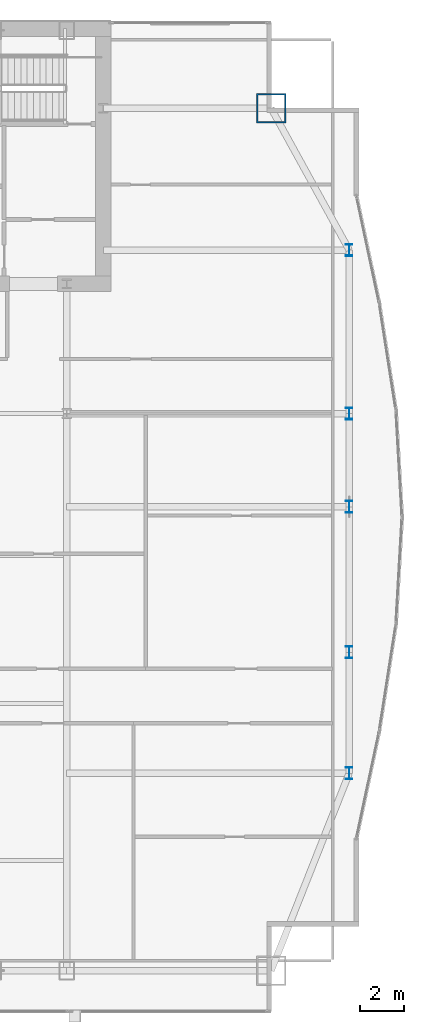
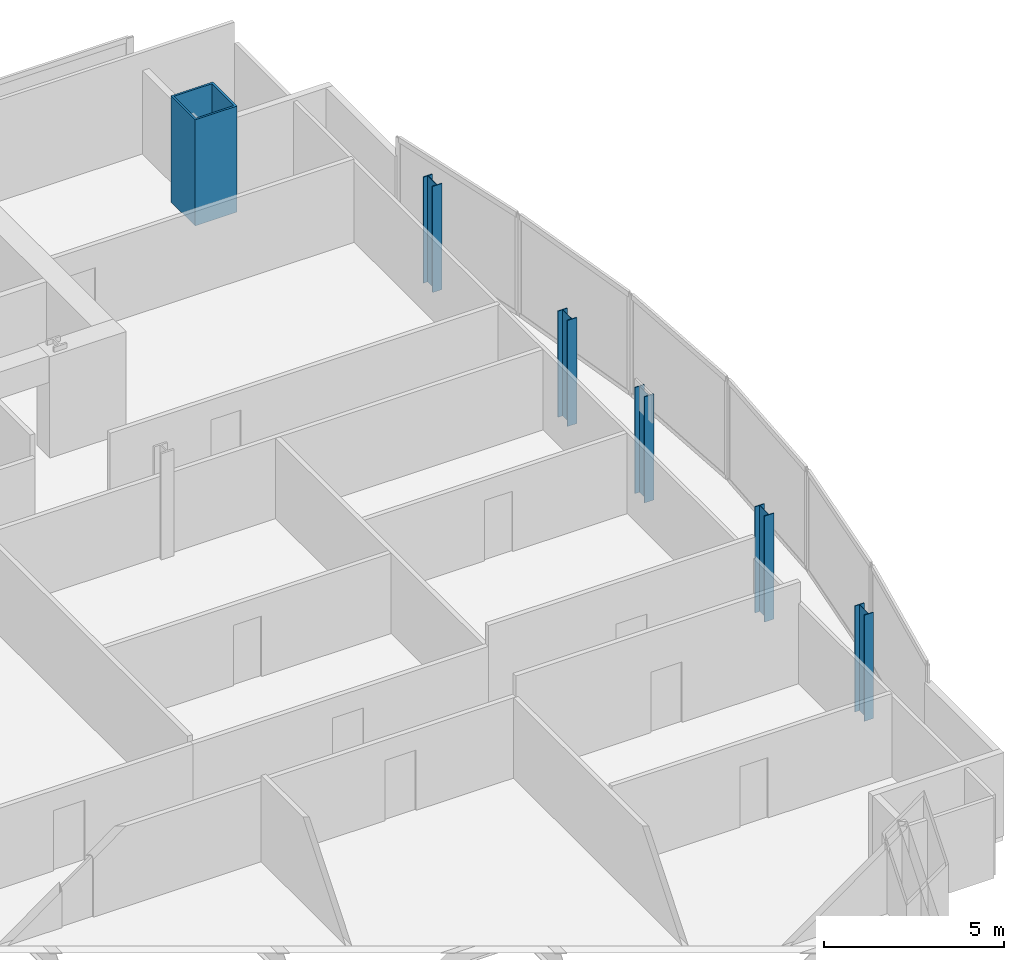
# One storey, part 4 of 29: 6 columns.
"""IFC4 building model written with IfcOpenShell, lengths in metres."""

from ifc_helpers import new_model, si_unit, direction, frame, origin, origin_2d, place, context, subcontext, project, spatial, hollow_rectangle, i_section, extrude, material, material_profile, profile_set, type_object, element, save


model = new_model("IFC4")

# Units and contexts
model_context = context("Model", 3, precision=1e-05, world=origin(), true_north=direction((0.0, 1.0)))
body_context = subcontext(model_context, "Body", "Model", "MODEL_VIEW")
ifc_project = project(units=[si_unit("LENGTHUNIT", "METRE"), si_unit("AREAUNIT", "SQUARE_METRE"), si_unit("VOLUMEUNIT", "CUBIC_METRE"), si_unit("PLANEANGLEUNIT", "RADIAN"), si_unit("MASSUNIT", "GRAM", prefix="KILO")], contexts=[model_context])

# Site, building, storey
site_placement = place(None, origin())
site = spatial("IfcSite", under=ifc_project, at=site_placement, CompositionType="ELEMENT")
building_placement = place(site_placement, origin())
building = spatial("IfcBuilding", under=site, at=building_placement, Name="Khoronbel Lancet Exchange", CompositionType="ELEMENT")
storey_placement = place(building_placement, frame((0.0, 0.0, 165.0)))
storey = spatial("IfcBuildingStorey", under=building, at=storey_placement, Name="L41", CompositionType="ELEMENT", Elevation=165.0)

# Columns
ifc_material_1 = material(Name="Steel S355", Category="steel")
ifc_material_profile_1 = material_profile(ifc_material_1, i_section(OverallWidth=0.300048828125, OverallDepth=0.550048828125, WebThickness=0.014892578125, FlangeThickness=0.029052734375, at=origin_2d()), Name="HEB 550")
ifc_profile_set_1 = profile_set([ifc_material_profile_1], Name="Steel S355")
column_type_1 = type_object("IfcColumnType", Name="COL-LC1", PredefinedType="COLUMN", material=ifc_profile_set_1)
for number, where, z_axis, x_axis, name in (
    (1, (67.6298828125, 19.199951171875, 0.0), (0.0, 0.0, 1.0), (1.0, 0.0, 0.0), "Structural column EC-1 L41"),
    (2, (67.6298828125, 24.75, 0.0), (0.0, 0.0, 1.0), (1.0, 0.0, 0.0), "Structural column EC-2 L41"),
    (3, (67.6298828125, 31.425048828125, 0.0), (0.0, 0.0, 1.0), (1.0, 0.0, 0.0), "Structural column EC-M L41"),
    (4, (67.6298828125, 35.699951171875, 0.0), (0.0, 0.0, 1.0), (1.0, 0.0, 0.0), "Structural column EC-3 L41"),
    (5, (67.6298828125, 43.199951171875, 0.0), (0.0, 0.0, 1.0), (1.0, 0.0, 0.0), "Structural column EC-4 L41"),
):
    element("IfcColumn", number, at=place(storey_placement, frame(where, z_axis=z_axis, x_axis=x_axis)), inside=storey, type_object=column_type_1, Name=name, PredefinedType="COLUMN", context=body_context, shape_type="SweptSolid", body=[
        extrude(i_section(OverallWidth=0.300048828125, OverallDepth=0.550048828125, WebThickness=0.014892578125, FlangeThickness=0.029052734375, at=origin_2d()), origin(), (0.0, 0.0, 1.0), 3.60009765625),
    ])
ifc_material_2 = material(Name="Steel S460", Category="steel")
ifc_material_profile_2 = material_profile(ifc_material_2, hollow_rectangle(XDim=1.35009765625, YDim=1.35009765625, WallThickness=0.06494140625, at=origin_2d()), Name="BOX 1350x1350x65")
ifc_profile_set_2 = profile_set([ifc_material_profile_2], Name="Steel S460")
column_type_2 = type_object("IfcColumnType", Name="COL-MC4", PredefinedType="COLUMN", material=ifc_profile_set_2)
column_placement = place(storey_placement, frame((64.050048828125, 49.699951171875, 0.0), z_axis=(0.0, 0.0, 1.0), x_axis=(1.0, 0.0, 0.0)))
element("IfcColumn", 6, at=column_placement, inside=storey, type_object=column_type_2, Name="Structural column MC-NE L41", PredefinedType="COLUMN", context=body_context, shape_type="SweptSolid", body=[
    extrude(hollow_rectangle(XDim=1.35009765625, YDim=1.35009765625, WallThickness=0.06494140625, at=origin_2d()), origin(), (0.0, 0.0, 1.0), 3.60009765625),
])

save(model, "model.ifc")
